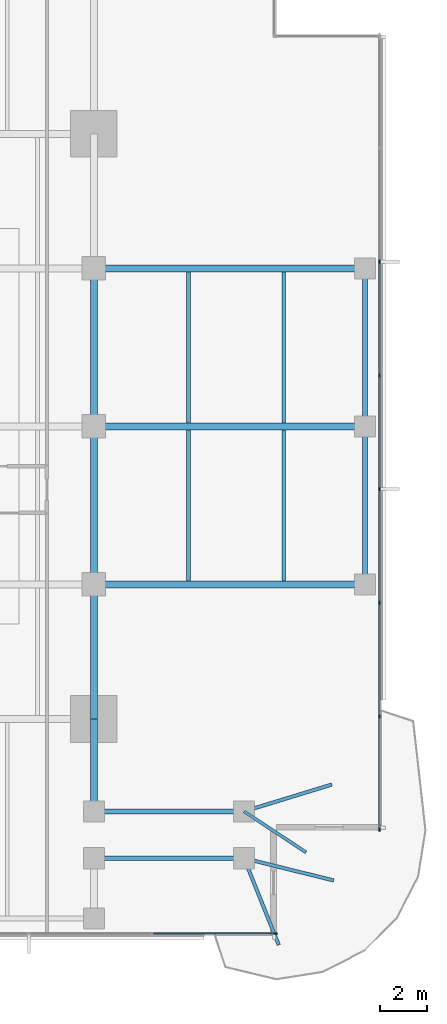
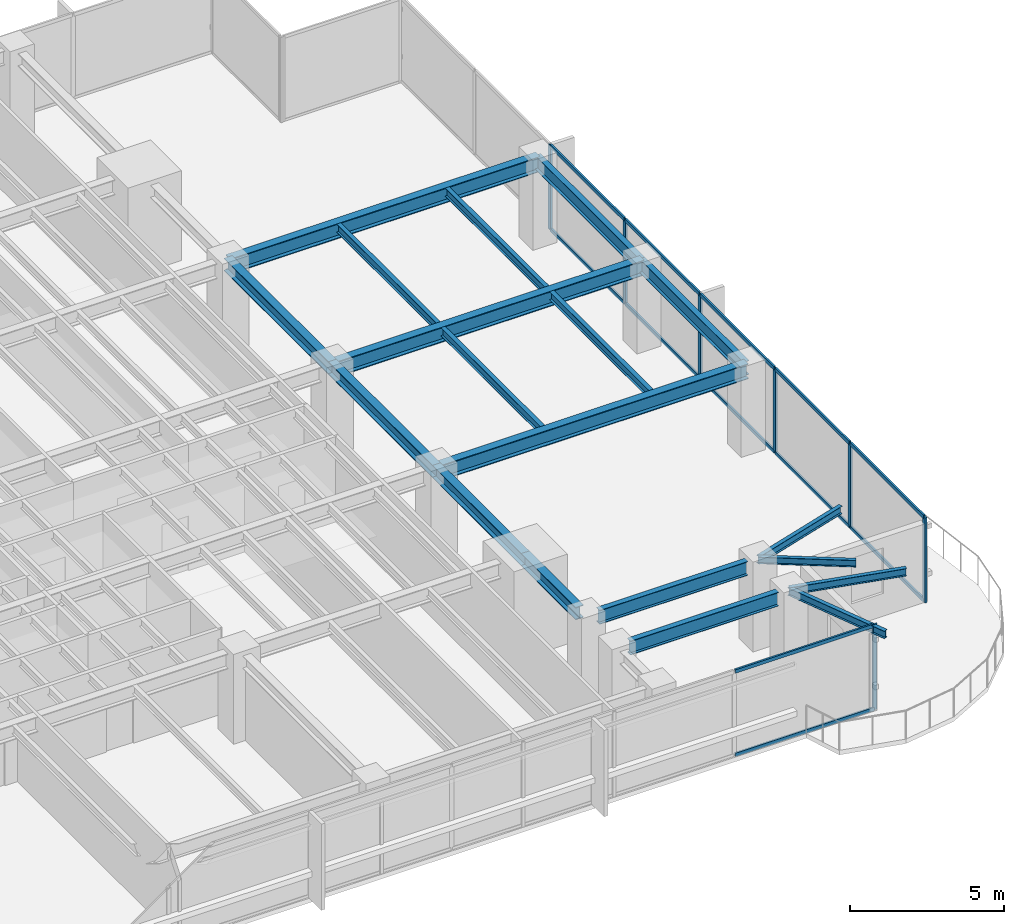
# One storey, part 4 of 14: 19 beams, 19 members, 2 elements without a shape of their own.
"""IFC4 building model written with IfcOpenShell, lengths in metres."""

import ifcopenshell
import ifcopenshell.guid

model = None  # the IFC model being written
_history = None  # IfcOwnerHistory: only IFC2X3 demands one
_inside = {}  # id of a spatial element -> (the spatial element, [elements in it])
_under = {}  # id of a project, library or spatial element -> (it, [spatial elements below it])
_declared = {}  # id of a project -> (the project, [libraries it declares])
_typed = {}  # id of a type object -> (the type object, [elements of that type])
_made_of = {}  # id of a material, layer set ... -> (it, [elements and type objects made of it])


def new_model(schema):
    """Start an empty IFC model of exactly this schema.

    Asked for "IFC4X3", IfcOpenShell would pick the latest addendum, in which some entities
    have other attributes; the version numbers below select the first issue.
    IFC2X3 requires an IfcOwnerHistory on every rooted entity: one is made here for all.
    """
    global model, _history
    if schema == "IFC4X3":
        model = ifcopenshell.file(schema_version=(4, 3, 0, 0))
    else:
        model = ifcopenshell.file(schema=schema)
    _inside.clear()
    _under.clear()
    _declared.clear()
    _typed.clear()
    _made_of.clear()
    _history = None
    if model.schema == "IFC2X3":
        org = make("IfcOrganization", Name="unknown")
        user = make(
            "IfcPersonAndOrganization",
            ThePerson=make("IfcPerson", FamilyName="unknown"),
            TheOrganization=org,
        )
        app = make(
            "IfcApplication",
            ApplicationDeveloper=org,
            Version="unknown",
            ApplicationFullName="unknown",
            ApplicationIdentifier="unknown",
        )
        _history = make(
            "IfcOwnerHistory",
            OwningUser=user,
            OwningApplication=app,
            ChangeAction="ADDED",
            CreationDate=0,
        )
    return model


def make(cls, **values):
    """One entity of the class cls with the attributes given. An attribute that is None is left unset."""
    return model.create_entity(
        cls, **{name: value for name, value in values.items() if value is not None}
    )


def rooted(cls, **values):
    """An entity with a GlobalId (a new one), such as an element, a storey or a relation."""
    return make(cls, GlobalId=ifcopenshell.guid.new(), OwnerHistory=_history, **values)


def si_unit(unit_type, name, prefix=None):
    """IfcSIUnit, for example si_unit("LENGTHUNIT", "METRE", prefix="MILLI")."""
    return make("IfcSIUnit", UnitType=unit_type, Prefix=prefix, Name=name)


def assignment(units):
    """IfcUnitAssignment: the units of a project."""
    return None if units is None else make("IfcUnitAssignment", Units=units)


def point(xyz):
    """IfcCartesianPoint."""
    return None if xyz is None else make("IfcCartesianPoint", Coordinates=xyz)


def direction(xyz):
    """IfcDirection."""
    return None if xyz is None else make("IfcDirection", DirectionRatios=xyz)


def frame(location, z_axis=None, x_axis=None):
    """IfcAxis2Placement3D, a coordinate frame: its origin and axes. An axis left out is left unset."""
    return make(
        "IfcAxis2Placement3D",
        Location=point(location),
        Axis=direction(z_axis),
        RefDirection=direction(x_axis),
    )


def frame_2d(location, x_axis=None):
    """IfcAxis2Placement2D, a coordinate frame in the plane: its origin and x axis."""
    return make(
        "IfcAxis2Placement2D", Location=point(location), RefDirection=direction(x_axis)
    )


def origin():
    """The frame at (0, 0, 0) with its axes left unset."""
    return frame((0.0, 0.0, 0.0))


def origin_2d():
    """The frame at (0, 0) in the plane with its x axis left unset."""
    return frame_2d((0.0, 0.0))


def place(relative_to, where):
    """IfcLocalPlacement: puts the frame where relative to a parent placement (None: the world)."""
    return make(
        "IfcLocalPlacement", PlacementRelTo=relative_to, RelativePlacement=where
    )


def context(
    kind, dimensions, precision=None, world=None, true_north=None, identifier=None
):
    """IfcGeometricRepresentationContext, for example the 3D "Model" context."""
    return make(
        "IfcGeometricRepresentationContext",
        ContextIdentifier=identifier,
        ContextType=kind,
        CoordinateSpaceDimension=dimensions,
        Precision=precision,
        WorldCoordinateSystem=world,
        TrueNorth=true_north,
    )


def subcontext(parent, identifier, kind, view, scale=None):
    """IfcGeometricRepresentationSubContext, for example "Body" below "Model"."""
    return make(
        "IfcGeometricRepresentationSubContext",
        ContextIdentifier=identifier,
        ContextType=kind,
        ParentContext=parent,
        TargetScale=scale,
        TargetView=view,
    )


def project(units=None, contexts=None):
    """IfcProject with its units and contexts."""
    return rooted(
        "IfcProject",
        Name="project",
        RepresentationContexts=contexts,
        UnitsInContext=assignment(units),
    )


def spatial(cls, under=None, at=None, **own):
    """A site, building, storey or space (cls), placed at a placement, below another one or the project."""
    s = rooted(cls, ObjectPlacement=at, **own)
    if under is not None:
        _under.setdefault(under.id(), (under, []))[1].append(s)
    return s


def profile(cls, at=None, kind="AREA", **sizes):
    """A parametric profile (cls). Its sizes go by their IFC names, for example OverallWidth=200.0."""
    return make(cls, ProfileType=kind, Position=at, **sizes)


def rectangle(**sizes):
    """IfcRectangleProfileDef."""
    return profile("IfcRectangleProfileDef", **sizes)


def i_section(**sizes):
    """IfcIShapeProfileDef."""
    return profile("IfcIShapeProfileDef", **sizes)


def extrude(swept, where, along, depth):
    """IfcExtrudedAreaSolid: the profile swept, set in the frame where, extruded along a direction by depth."""
    return make(
        "IfcExtrudedAreaSolid",
        SweptArea=swept,
        Position=where,
        ExtrudedDirection=direction(along),
        Depth=depth,
    )


def shape(context_of_items, identifier, shape_type, items):
    """IfcShapeRepresentation: the items that make up one representation, for example the "Body"."""
    return make(
        "IfcShapeRepresentation",
        ContextOfItems=context_of_items,
        RepresentationIdentifier=identifier,
        RepresentationType=shape_type,
        Items=items,
    )


def material(Name=None, Category=None):
    """IfcMaterial."""
    return make("IfcMaterial", Name=Name, Category=Category)


def layer(
    of_material, thickness, ventilated=None, Name=None, Category=None, Priority=None
):
    """IfcMaterialLayer: one layer of a wall or slab, of a material (None: an air gap)."""
    return make(
        "IfcMaterialLayer",
        Material=of_material,
        LayerThickness=thickness,
        IsVentilated=ventilated,
        Name=Name,
        Category=Category,
        Priority=Priority,
    )


def layer_set(layers, Name=None):
    """IfcMaterialLayerSet."""
    return make("IfcMaterialLayerSet", MaterialLayers=layers, LayerSetName=Name)


def material_profile(
    of_material, cross_section, Name=None, Category=None, Priority=None
):
    """IfcMaterialProfile: a cross section and its material."""
    return make(
        "IfcMaterialProfile",
        Name=Name,
        Material=of_material,
        Profile=cross_section,
        Priority=Priority,
        Category=Category,
    )


def profile_set(profiles, Name=None, composite=None):
    """IfcMaterialProfileSet."""
    return make(
        "IfcMaterialProfileSet",
        Name=Name,
        MaterialProfiles=profiles,
        CompositeProfile=composite,
    )


def made_of(thing, what):
    """Note that an element or type object is made of a material, layer set ...; save() writes the relation."""
    if what is not None:
        _made_of.setdefault(what.id(), (what, []))[1].append(thing)
    return thing


def type_object(cls, material=None, **own):
    """A type object (cls), such as IfcWallType, which elements share."""
    return made_of(rooted(cls, **own), material)


def element(
    cls,
    number,
    at=None,
    inside=None,
    cuts=None,
    type_object=None,
    material=None,
    context=None,
    identifier="Body",
    shape_type=None,
    held_by="IfcProductDefinitionShape",
    body=None,
    shapes=None,
    **own,
):
    """One element of the class cls, such as IfcWall. Its Tag is "e" and its number.

    at: its placement. inside: the storey or other place that contains it. cuts: it is an
    opening in that element (IfcRelVoidsElement). A single representation is given by context,
    identifier, shape_type and body (its items); several are given by shapes. held_by: the class
    of the entity that holds the representations. save() writes the other relations.
    """
    e = rooted(cls, Tag="e%d" % number, ObjectPlacement=at, **own)
    if body is not None:
        shapes = [shape(context, identifier, shape_type, body)]
    if shapes is not None:
        e.Representation = make(held_by, Representations=shapes)
    if inside is not None:
        _inside.setdefault(inside.id(), (inside, []))[1].append(e)
    if cuts is not None:
        rooted(
            "IfcRelVoidsElement", RelatingBuildingElement=cuts, RelatedOpeningElement=e
        )
    if type_object is not None:
        _typed.setdefault(type_object.id(), (type_object, []))[1].append(e)
    return made_of(e, material)


def aggregate(whole, parts):
    """IfcRelAggregates: a whole, such as a stair, and the parts it consists of."""
    return rooted("IfcRelAggregates", RelatingObject=whole, RelatedObjects=parts)


def save(model, path):
    """Write the relations noted so far, then the file.

    IfcRelAggregates (storeys below a building ...), IfcRelContainedInSpatialStructure (elements
    in a storey), IfcRelDefinesByType, IfcRelAssociatesMaterial and IfcRelDeclares: one each for
    every whole, place, type object, material and project.
    """
    for whole, parts in _under.values():
        aggregate(whole, parts)
    for where, things in _inside.values():
        rooted(
            "IfcRelContainedInSpatialStructure",
            RelatedElements=things,
            RelatingStructure=where,
        )
    for kind, things in _typed.values():
        rooted("IfcRelDefinesByType", RelatedObjects=things, RelatingType=kind)
    for what, things in _made_of.values():
        rooted("IfcRelAssociatesMaterial", RelatedObjects=things, RelatingMaterial=what)
    for by, libraries in _declared.values():
        rooted("IfcRelDeclares", RelatingContext=by, RelatedDefinitions=libraries)
    model.write(path)


model = new_model("IFC4")

# Units and contexts
model_context = context("Model", 3, precision=1e-05, world=origin(), true_north=direction((0.0, 1.0)))
body_context = subcontext(model_context, "Body", "Model", "MODEL_VIEW")
ifc_project = project(units=[si_unit("LENGTHUNIT", "METRE"), si_unit("AREAUNIT", "SQUARE_METRE"), si_unit("VOLUMEUNIT", "CUBIC_METRE"), si_unit("PLANEANGLEUNIT", "RADIAN"), si_unit("MASSUNIT", "GRAM", prefix="KILO")], contexts=[model_context])

# Site, building, storey
site_placement = place(None, origin())
site = spatial("IfcSite", under=ifc_project, at=site_placement, CompositionType="ELEMENT")
building_placement = place(site_placement, origin())
building = spatial("IfcBuilding", under=site, at=building_placement, Name="Kinhvarn Gate Tower", CompositionType="ELEMENT")
storey_placement = place(building_placement, frame((0.0, 0.0, 134.199951171875)))
storey = spatial("IfcBuildingStorey", under=building, at=storey_placement, Name="L35", CompositionType="ELEMENT", Elevation=134.199951171875)

# Curtain wall, member
ifc_material_1 = material(Name="Anodised aluminium AW-6063", Category="aluminium")
ifc_layer = layer(ifc_material_1, 0.179931640625)
ifc_layer_set = layer_set([ifc_layer], Name="Anodised aluminium AW-6063")
curtain_wall_type = type_object("IfcCurtainWallType", Name="CW-SYS-3", PredefinedType="NOTDEFINED", material=ifc_layer_set)
curtain_wall_1_placement = place(storey_placement, origin())
curtain_wall_1 = element("IfcCurtainWall", 1, at=curtain_wall_1_placement, inside=storey, type_object=curtain_wall_type, Name="Curtain Wall CW3 (L35)", PredefinedType="NOTDEFINED")
ifc_material_profile_1 = material_profile(ifc_material_1, rectangle(XDim=0.06494140625, YDim=0.159912109375, at=origin_2d()), Name="ALU 65x160")
ifc_profile_set_1 = profile_set([ifc_material_profile_1], Name="Anodised aluminium AW-6063")
member_type_1 = type_object("IfcMemberType", Name="CW-MUL-160", PredefinedType="MULLION", material=ifc_profile_set_1)
member_1_placement = place(storey_placement, frame((45.967529296875, 3.590087890625, 0.0), z_axis=(0.0, 0.0, 1.0), x_axis=(0.0, 1.0, 0.0)))
member_1 = element("IfcMember", 2, at=member_1_placement, type_object=member_type_1, Name="CW3 mullion 8", PredefinedType="MULLION", context=body_context, shape_type="SweptSolid", body=[
    extrude(rectangle(XDim=0.06494140625, YDim=0.159912109375, at=origin_2d()), origin(), (0.0, 0.0, 1.0), 3.3701171875),
])

# Curtain wall, members
curtain_wall_2_placement = place(storey_placement, origin())
curtain_wall_2 = element("IfcCurtainWall", 3, at=curtain_wall_2_placement, inside=storey, type_object=curtain_wall_type, Name="Curtain Wall CW3 (L35)", PredefinedType="NOTDEFINED")
member_2_placement = place(storey_placement, frame((50.409912109375, 8.032470703125, 0.0), z_axis=(0.0, 0.0, 1.0), x_axis=(-1.0, 0.0, 0.0)))
member_2 = element("IfcMember", 4, at=member_2_placement, type_object=member_type_1, Name="CW3 mullion 1", PredefinedType="MULLION", context=body_context, shape_type="SweptSolid", body=[
    extrude(rectangle(XDim=0.06494140625, YDim=0.159912109375, at=origin_2d()), origin(), (0.0, 0.0, 1.0), 3.3701171875),
])
member_3_placement = place(storey_placement, frame((50.409912109375, 12.857177734375, 0.0), z_axis=(0.0, 0.0, 1.0), x_axis=(-1.0, 0.0, 0.0)))
member_3 = element("IfcMember", 5, at=member_3_placement, type_object=member_type_1, Name="CW3 mullion 2", PredefinedType="MULLION", context=body_context, shape_type="SweptSolid", body=[
    extrude(rectangle(XDim=0.06494140625, YDim=0.159912109375, at=origin_2d()), origin(), (0.0, 0.0, 1.0), 3.3701171875),
])
member_4_placement = place(storey_placement, frame((50.409912109375, 17.71435546875, 0.0), z_axis=(0.0, 0.0, 1.0), x_axis=(-1.0, 0.0, 0.0)))
member_4 = element("IfcMember", 6, at=member_4_placement, type_object=member_type_1, Name="CW3 mullion 3", PredefinedType="MULLION", context=body_context, shape_type="SweptSolid", body=[
    extrude(rectangle(XDim=0.06494140625, YDim=0.159912109375, at=origin_2d()), origin(), (0.0, 0.0, 1.0), 3.3701171875),
])
member_5_placement = place(storey_placement, frame((50.409912109375, 22.571533203125, 0.0), z_axis=(0.0, 0.0, 1.0), x_axis=(-1.0, 0.0, 0.0)))
member_5 = element("IfcMember", 7, at=member_5_placement, type_object=member_type_1, Name="CW3 mullion 4", PredefinedType="MULLION", context=body_context, shape_type="SweptSolid", body=[
    extrude(rectangle(XDim=0.06494140625, YDim=0.159912109375, at=origin_2d()), origin(), (0.0, 0.0, 1.0), 3.3701171875),
])
member_6_placement = place(storey_placement, frame((50.409912109375, 27.428466796875, 0.0), z_axis=(0.0, 0.0, 1.0), x_axis=(-1.0, 0.0, 0.0)))
member_6 = element("IfcMember", 8, at=member_6_placement, type_object=member_type_1, Name="CW3 mullion 5", PredefinedType="MULLION", context=body_context, shape_type="SweptSolid", body=[
    extrude(rectangle(XDim=0.06494140625, YDim=0.159912109375, at=origin_2d()), origin(), (0.0, 0.0, 1.0), 3.3701171875),
])
member_7_placement = place(storey_placement, frame((50.409912109375, 32.28564453125, 0.0), z_axis=(0.0, 0.0, 1.0), x_axis=(-1.0, 0.0, 0.0)))
member_7 = element("IfcMember", 9, at=member_7_placement, type_object=member_type_1, Name="CW3 mullion 6", PredefinedType="MULLION", context=body_context, shape_type="SweptSolid", body=[
    extrude(rectangle(XDim=0.06494140625, YDim=0.159912109375, at=origin_2d()), origin(), (0.0, 0.0, 1.0), 3.3701171875),
])

# Member
ifc_material_profile_2 = material_profile(ifc_material_1, rectangle(XDim=0.070068359375, YDim=0.139892578125, at=origin_2d()), Name="ALU 70x140")
ifc_profile_set_2 = profile_set([ifc_material_profile_2], Name="Anodised aluminium AW-6063")
member_type_2 = type_object("IfcMemberType", Name="CW-TRN-140", PredefinedType="USERDEFINED", material=ifc_profile_set_2)
member_8_placement = place(storey_placement, frame((40.746826171875, 3.590087890625, 0.03515625), z_axis=(1.0, 0.0, 0.0), x_axis=(0.0, 1.0, 0.0)))
member_8 = element("IfcMember", 10, at=member_8_placement, type_object=member_type_2, Name="CW3 transom 7.1", ObjectType="TRANSOM", PredefinedType="USERDEFINED", context=body_context, shape_type="SweptSolid", body=[
    extrude(rectangle(XDim=0.070068359375, YDim=0.139892578125, at=origin_2d()), origin(), (0.0, 0.0, 1.0), 5.188232421875),
])

member_9_placement = place(storey_placement, frame((40.746826171875, 3.590087890625, 3.3349609375), z_axis=(1.0, 0.0, 0.0), x_axis=(0.0, 1.0, 0.0)))
member_9 = element("IfcMember", 11, at=member_9_placement, type_object=member_type_2, Name="CW3 transom 7.2", ObjectType="TRANSOM", PredefinedType="USERDEFINED", context=body_context, shape_type="SweptSolid", body=[
    extrude(rectangle(XDim=0.070068359375, YDim=0.139892578125, at=origin_2d()), origin(), (0.0, 0.0, 1.0), 5.188232421875),
])

aggregate(curtain_wall_1, [member_1, member_8, member_9])

member_10_placement = place(storey_placement, frame((50.409912109375, 8.06494140625, 0.03515625), z_axis=(0.0, 1.0, 0.0), x_axis=(-1.0, 0.0, 0.0)))
member_10 = element("IfcMember", 12, at=member_10_placement, type_object=member_type_2, Name="CW3 transom 1.1", ObjectType="TRANSOM", PredefinedType="USERDEFINED", context=body_context, shape_type="SweptSolid", body=[
    extrude(rectangle(XDim=0.070068359375, YDim=0.139892578125, at=origin_2d()), origin(), (0.0, 0.0, 1.0), 4.759765625),
])

member_11_placement = place(storey_placement, frame((50.409912109375, 8.06494140625, 3.3349609375), z_axis=(0.0, 1.0, 0.0), x_axis=(-1.0, 0.0, 0.0)))
member_11 = element("IfcMember", 13, at=member_11_placement, type_object=member_type_2, Name="CW3 transom 1.2", ObjectType="TRANSOM", PredefinedType="USERDEFINED", context=body_context, shape_type="SweptSolid", body=[
    extrude(rectangle(XDim=0.070068359375, YDim=0.139892578125, at=origin_2d()), origin(), (0.0, 0.0, 1.0), 4.759765625),
])

member_12_placement = place(storey_placement, frame((50.409912109375, 12.8896484375, 0.03515625), z_axis=(0.0, 1.0, 0.0), x_axis=(-1.0, 0.0, 0.0)))
member_12 = element("IfcMember", 14, at=member_12_placement, type_object=member_type_2, Name="CW3 transom 2.1", ObjectType="TRANSOM", PredefinedType="USERDEFINED", context=body_context, shape_type="SweptSolid", body=[
    extrude(rectangle(XDim=0.070068359375, YDim=0.139892578125, at=origin_2d()), origin(), (0.0, 0.0, 1.0), 4.792236328125),
])

member_13_placement = place(storey_placement, frame((50.409912109375, 12.8896484375, 3.3349609375), z_axis=(0.0, 1.0, 0.0), x_axis=(-1.0, 0.0, 0.0)))
member_13 = element("IfcMember", 15, at=member_13_placement, type_object=member_type_2, Name="CW3 transom 2.2", ObjectType="TRANSOM", PredefinedType="USERDEFINED", context=body_context, shape_type="SweptSolid", body=[
    extrude(rectangle(XDim=0.070068359375, YDim=0.139892578125, at=origin_2d()), origin(), (0.0, 0.0, 1.0), 4.792236328125),
])

member_14_placement = place(storey_placement, frame((50.409912109375, 17.746826171875, 0.03515625), z_axis=(0.0, 1.0, 0.0), x_axis=(-1.0, 0.0, 0.0)))
member_14 = element("IfcMember", 16, at=member_14_placement, type_object=member_type_2, Name="CW3 transom 3.1", ObjectType="TRANSOM", PredefinedType="USERDEFINED", context=body_context, shape_type="SweptSolid", body=[
    extrude(rectangle(XDim=0.070068359375, YDim=0.139892578125, at=origin_2d()), origin(), (0.0, 0.0, 1.0), 4.7919921875),
])

member_15_placement = place(storey_placement, frame((50.409912109375, 17.746826171875, 3.3349609375), z_axis=(0.0, 1.0, 0.0), x_axis=(-1.0, 0.0, 0.0)))
member_15 = element("IfcMember", 17, at=member_15_placement, type_object=member_type_2, Name="CW3 transom 3.2", ObjectType="TRANSOM", PredefinedType="USERDEFINED", context=body_context, shape_type="SweptSolid", body=[
    extrude(rectangle(XDim=0.070068359375, YDim=0.139892578125, at=origin_2d()), origin(), (0.0, 0.0, 1.0), 4.7919921875),
])

member_16_placement = place(storey_placement, frame((50.409912109375, 22.60400390625, 0.03515625), z_axis=(0.0, 1.0, 0.0), x_axis=(-1.0, 0.0, 0.0)))
member_16 = element("IfcMember", 18, at=member_16_placement, type_object=member_type_2, Name="CW3 transom 4.1", ObjectType="TRANSOM", PredefinedType="USERDEFINED", context=body_context, shape_type="SweptSolid", body=[
    extrude(rectangle(XDim=0.070068359375, YDim=0.139892578125, at=origin_2d()), origin(), (0.0, 0.0, 1.0), 4.7919921875),
])

member_17_placement = place(storey_placement, frame((50.409912109375, 22.60400390625, 3.3349609375), z_axis=(0.0, 1.0, 0.0), x_axis=(-1.0, 0.0, 0.0)))
member_17 = element("IfcMember", 19, at=member_17_placement, type_object=member_type_2, Name="CW3 transom 4.2", ObjectType="TRANSOM", PredefinedType="USERDEFINED", context=body_context, shape_type="SweptSolid", body=[
    extrude(rectangle(XDim=0.070068359375, YDim=0.139892578125, at=origin_2d()), origin(), (0.0, 0.0, 1.0), 4.7919921875),
])

member_18_placement = place(storey_placement, frame((50.409912109375, 27.461181640625, 0.03515625), z_axis=(0.0, 1.0, 0.0), x_axis=(-1.0, 0.0, 0.0)))
member_18 = element("IfcMember", 20, at=member_18_placement, type_object=member_type_2, Name="CW3 transom 5.1", ObjectType="TRANSOM", PredefinedType="USERDEFINED", context=body_context, shape_type="SweptSolid", body=[
    extrude(rectangle(XDim=0.070068359375, YDim=0.139892578125, at=origin_2d()), origin(), (0.0, 0.0, 1.0), 4.7919921875),
])

member_19_placement = place(storey_placement, frame((50.409912109375, 27.461181640625, 3.3349609375), z_axis=(0.0, 1.0, 0.0), x_axis=(-1.0, 0.0, 0.0)))
member_19 = element("IfcMember", 21, at=member_19_placement, type_object=member_type_2, Name="CW3 transom 5.2", ObjectType="TRANSOM", PredefinedType="USERDEFINED", context=body_context, shape_type="SweptSolid", body=[
    extrude(rectangle(XDim=0.070068359375, YDim=0.139892578125, at=origin_2d()), origin(), (0.0, 0.0, 1.0), 4.7919921875),
])

aggregate(curtain_wall_2, [member_2, member_3, member_4, member_5, member_6, member_7, member_10, member_11, member_12, member_13, member_14, member_15, member_16, member_17, member_18, member_19])

# Beams
ifc_material_2 = material(Name="Steel S355", Category="steel")
ifc_material_profile_3 = material_profile(ifc_material_2, i_section(OverallWidth=0.300048828125, OverallDepth=0.5, WebThickness=0.014404296875, FlangeThickness=0.028076171875, at=origin_2d()), Name="HEB 500")
ifc_profile_set_3 = profile_set([ifc_material_profile_3], Name="Steel S355")
beam_type_1 = type_object("IfcBeamType", Name="STL-HEB500", PredefinedType="BEAM", material=ifc_profile_set_3)
beam_1_placement = place(storey_placement, frame((38.199951171875, 9.235107421875, 3.1201171875), z_axis=(0.0, 1.0, 0.0), x_axis=(-1.0, 0.0, 0.0)))
element("IfcBeam", 22, at=beam_1_placement, inside=storey, type_object=beam_type_1, Name="Floor Beam PG-14 (L35 MCE-S-A2)", PredefinedType="BEAM", context=body_context, shape_type="SweptSolid", body=[
    extrude(i_section(OverallWidth=0.300048828125, OverallDepth=0.5, WebThickness=0.014404296875, FlangeThickness=0.028076171875, at=origin_2d()), origin(), (0.0, 0.0, 1.0), 3.514892578125),
])
beam_2_placement = place(storey_placement, frame((38.199951171875, 12.75, 3.1201171875), z_axis=(0.0, 1.0, 0.0), x_axis=(-1.0, 0.0, 0.0)))
element("IfcBeam", 23, at=beam_2_placement, inside=storey, type_object=beam_type_1, Name="Floor Beam PG-14 (L35 MG-E-12)", PredefinedType="BEAM", context=body_context, shape_type="SweptSolid", body=[
    extrude(i_section(OverallWidth=0.300048828125, OverallDepth=0.5, WebThickness=0.014404296875, FlangeThickness=0.028076171875, at=origin_2d()), origin(), (0.0, 0.0, 1.0), 5.75),
])
for number, where, z_axis, x_axis, name in (
    (24, (38.199951171875, 18.5, 3.1201171875), (0.0, 1.0, 0.0), (-1.0, 0.0, 0.0), "Floor Beam PG-14 (L35 MG-E-18)"),
    (25, (38.199951171875, 25.25, 3.1201171875), (0.0, 1.0, 0.0), (-1.0, 0.0, 0.0), "Floor Beam PG-14 (L35 MG-E-25)"),
):
    element("IfcBeam", number, at=place(storey_placement, frame(where, z_axis=z_axis, x_axis=x_axis)), inside=storey, type_object=beam_type_1, Name=name, PredefinedType="BEAM", context=body_context, shape_type="SweptSolid", body=[
        extrude(i_section(OverallWidth=0.300048828125, OverallDepth=0.5, WebThickness=0.014404296875, FlangeThickness=0.028076171875, at=origin_2d()), origin(), (0.0, 0.0, 1.0), 6.75),
    ])
ifc_material_profile_4 = material_profile(ifc_material_2, i_section(OverallWidth=0.300048828125, OverallDepth=0.60009765625, WebThickness=0.015380859375, FlangeThickness=0.030029296875, at=origin_2d()), Name="HEB 600")
ifc_profile_set_4 = profile_set([ifc_material_profile_4], Name="Steel S355")
beam_type_2 = type_object("IfcBeamType", Name="STL-HEB600", PredefinedType="BEAM", material=ifc_profile_set_4)
for number, where, z_axis, x_axis, name in (
    (26, (38.199951171875, 18.5, 3.070068359375), (1.0, 0.0, 0.0), (0.0, 1.0, 0.0), "Floor Beam PG-16 (L35 EW2-Y18)"),
    (27, (38.199951171875, 25.25, 3.070068359375), (1.0, 0.0, 0.0), (0.0, 1.0, 0.0), "Floor Beam PG-16 (L35 EW2-Y25)"),
    (28, (38.199951171875, 32.0, 3.070068359375), (1.0, 0.0, 0.0), (0.0, 1.0, 0.0), "Floor Beam PG-16 (L35 EW2-Y32)"),
):
    element("IfcBeam", number, at=place(storey_placement, frame(where, z_axis=z_axis, x_axis=x_axis)), inside=storey, type_object=beam_type_2, Name=name, PredefinedType="BEAM", context=body_context, shape_type="SweptSolid", body=[
        extrude(i_section(OverallWidth=0.300048828125, OverallDepth=0.60009765625, WebThickness=0.015380859375, FlangeThickness=0.030029296875, at=origin_2d()), origin(), (0.0, 0.0, 1.0), 11.580078125),
    ])
ifc_material_profile_5 = material_profile(ifc_material_2, i_section(OverallWidth=0.135009765625, OverallDepth=0.27001953125, WebThickness=0.006591796875, FlangeThickness=0.01025390625, at=origin_2d()), Name="IPE 270")
ifc_profile_set_5 = profile_set([ifc_material_profile_5], Name="Steel S355")
beam_type_3 = type_object("IfcBeamType", Name="STL-IPE270", PredefinedType="JOIST", material=ifc_profile_set_5)
beam_3_placement = place(storey_placement, frame((44.6201171875, 8.800048828125, 3.235107421875), z_axis=(0.834455271211, -0.5510756757, 0.0), x_axis=(0.5510756757, 0.834455271211, 0.0)))
element("IfcBeam", 29, at=beam_3_placement, inside=storey, type_object=beam_type_3, Name="Floor Joist SB-01 (L35 BAL-B3-L36)", PredefinedType="JOIST", context=body_context, shape_type="SweptSolid", body=[
    extrude(i_section(OverallWidth=0.135009765625, OverallDepth=0.27001953125, WebThickness=0.006591796875, FlangeThickness=0.01025390625, at=origin_2d()), origin(), (0.0, 0.0, 1.0), 3.175537109375),
])
ifc_material_profile_6 = material_profile(ifc_material_2, i_section(OverallWidth=0.14990234375, OverallDepth=0.300048828125, WebThickness=0.007080078125, FlangeThickness=0.0107421875, at=origin_2d()), Name="IPE 300")
ifc_profile_set_6 = profile_set([ifc_material_profile_6], Name="Steel S355")
beam_type_4 = type_object("IfcBeamType", Name="STL-IPE300", PredefinedType="JOIST", material=ifc_profile_set_6)
beam_4_placement = place(storey_placement, frame((44.6201171875, 6.800048828125, 3.219970703125), z_axis=(0.97058851083, -0.240744558911, 0.0), x_axis=(0.240744558911, 0.97058851083, 0.0)))
element("IfcBeam", 30, at=beam_4_placement, inside=storey, type_object=beam_type_4, Name="Floor Joist SB-02 (L35 BAL-B1-L36)", PredefinedType="JOIST", context=body_context, shape_type="SweptSolid", body=[
    extrude(i_section(OverallWidth=0.14990234375, OverallDepth=0.300048828125, WebThickness=0.007080078125, FlangeThickness=0.0107421875, at=origin_2d()), origin(), (0.0, 0.0, 1.0), 3.94580078125),
])
beam_5_placement = place(storey_placement, frame((44.6201171875, 6.800048828125, 3.219970703125), z_axis=(0.371390676354, -0.928476690885, 0.0), x_axis=(0.928476690885, 0.371390676354, 0.0)))
element("IfcBeam", 31, at=beam_5_placement, inside=storey, type_object=beam_type_4, Name="Floor Joist SB-02 (L35 BAL-B2-L36)", PredefinedType="JOIST", context=body_context, shape_type="SweptSolid", body=[
    extrude(i_section(OverallWidth=0.14990234375, OverallDepth=0.300048828125, WebThickness=0.007080078125, FlangeThickness=0.0107421875, at=origin_2d()), origin(), (0.0, 0.0, 1.0), 3.98486328125),
])
beam_6_placement = place(storey_placement, frame((44.6201171875, 8.800048828125, 3.219970703125), z_axis=(0.95606118681, 0.293167199862, 0.0), x_axis=(-0.293167199862, 0.95606118681, 0.0)))
element("IfcBeam", 32, at=beam_6_placement, inside=storey, type_object=beam_type_4, Name="Floor Joist SB-02 (L35 BAL-B5-L36)", PredefinedType="JOIST", context=body_context, shape_type="SweptSolid", body=[
    extrude(i_section(OverallWidth=0.14990234375, OverallDepth=0.300048828125, WebThickness=0.007080078125, FlangeThickness=0.0107421875, at=origin_2d()), origin(), (0.0, 0.0, 1.0), 3.92236328125),
])
ifc_material_profile_7 = material_profile(ifc_material_2, i_section(OverallWidth=0.159912109375, OverallDepth=0.330078125, WebThickness=0.007568359375, FlangeThickness=0.011474609375, at=origin_2d()), Name="IPE 330")
ifc_profile_set_7 = profile_set([ifc_material_profile_7], Name="Steel S355")
beam_type_5 = type_object("IfcBeamType", Name="STL-IPE330", PredefinedType="JOIST", material=ifc_profile_set_7)
for number, where, z_axis, x_axis, name in (
    (33, (42.25, 18.64990234375, 3.205078125), (0.0, 1.0, 0.0), (-1.0, 0.0, 0.0), "Floor Joist SB-03 (L35 JC-X422-1)"),
    (34, (42.25, 25.39990234375, 3.205078125), (0.0, 1.0, 0.0), (-1.0, 0.0, 0.0), "Floor Joist SB-03 (L35 JC-X422-2)"),
    (35, (46.31005859375, 18.64990234375, 3.205078125), (0.0, 1.0, 0.0), (-1.0, 0.0, 0.0), "Floor Joist SB-03 (L35 JC-X463-1)"),
    (36, (46.31005859375, 25.39990234375, 3.205078125), (0.0, 1.0, 0.0), (-1.0, 0.0, 0.0), "Floor Joist SB-03 (L35 JC-X463-2)"),
):
    element("IfcBeam", number, at=place(storey_placement, frame(where, z_axis=z_axis, x_axis=x_axis)), inside=storey, type_object=beam_type_5, Name=name, PredefinedType="JOIST", context=body_context, shape_type="SweptSolid", body=[
        extrude(i_section(OverallWidth=0.159912109375, OverallDepth=0.330078125, WebThickness=0.007568359375, FlangeThickness=0.011474609375, at=origin_2d()), origin(), (0.0, 0.0, 1.0), 6.4501953125),
    ])
ifc_material_profile_8 = material_profile(ifc_material_2, i_section(OverallWidth=0.2099609375, OverallDepth=0.550048828125, WebThickness=0.010986328125, FlangeThickness=0.01708984375, at=origin_2d()), Name="IPE 550")
ifc_profile_set_8 = profile_set([ifc_material_profile_8], Name="Steel S355")
beam_type_6 = type_object("IfcBeamType", Name="STL-IPE550", PredefinedType="SPANDREL", material=ifc_profile_set_8)
for number, where, z_axis, x_axis, name in (
    (37, (38.635009765625, 8.800048828125, 3.094970703125), (1.0, 0.0, 0.0), (0.0, 1.0, 0.0), "Floor Spandrel SB-08 (L35 SP-SE2)"),
    (38, (38.635009765625, 6.800048828125, 3.094970703125), (1.0, 0.0, 0.0), (0.0, 1.0, 0.0), "Floor Spandrel SB-08 (L35 SP-SE2-S)"),
):
    element("IfcBeam", number, at=place(storey_placement, frame(where, z_axis=z_axis, x_axis=x_axis)), inside=storey, type_object=beam_type_6, Name=name, PredefinedType="SPANDREL", context=body_context, shape_type="SweptSolid", body=[
        extrude(i_section(OverallWidth=0.2099609375, OverallDepth=0.550048828125, WebThickness=0.010986328125, FlangeThickness=0.01708984375, at=origin_2d()), origin(), (0.0, 0.0, 1.0), 5.550048828125),
    ])
for number, where, z_axis, x_axis, name in (
    (39, (49.780029296875, 18.5, 3.094970703125), (0.0, 1.0, 0.0), (-1.0, 0.0, 0.0), "Floor Spandrel SB-08 (L35 SP-E2)"),
    (40, (49.780029296875, 25.25, 3.094970703125), (0.0, 1.0, 0.0), (-1.0, 0.0, 0.0), "Floor Spandrel SB-08 (L35 SP-E3)"),
):
    element("IfcBeam", number, at=place(storey_placement, frame(where, z_axis=z_axis, x_axis=x_axis)), inside=storey, type_object=beam_type_6, Name=name, PredefinedType="SPANDREL", context=body_context, shape_type="SweptSolid", body=[
        extrude(i_section(OverallWidth=0.2099609375, OverallDepth=0.550048828125, WebThickness=0.010986328125, FlangeThickness=0.01708984375, at=origin_2d()), origin(), (0.0, 0.0, 1.0), 6.75),
    ])

save(model, "model.ifc")
